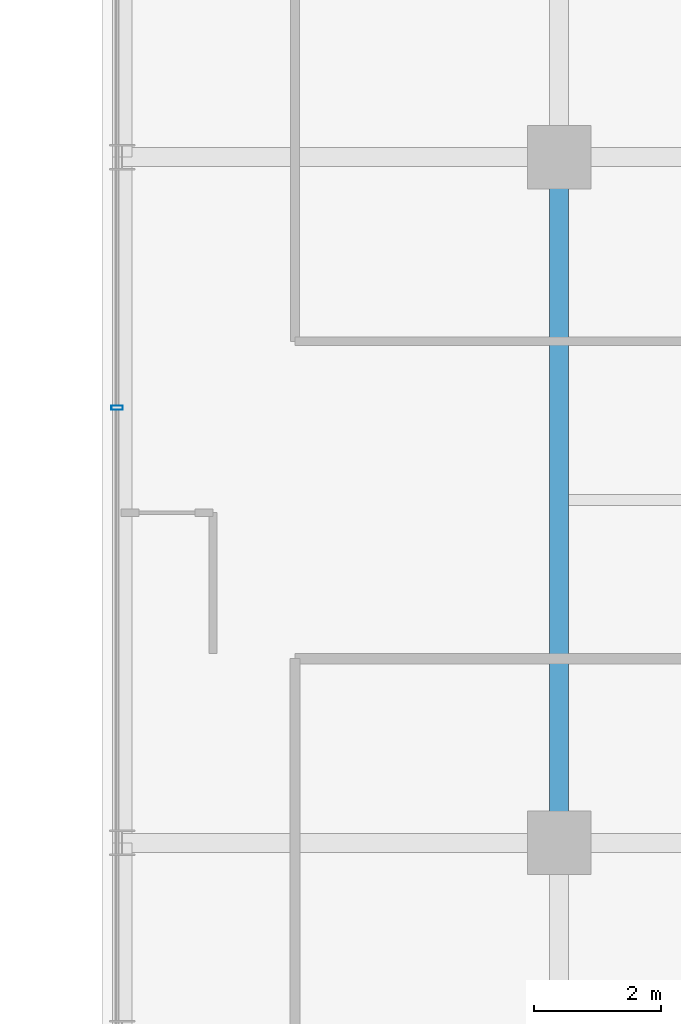
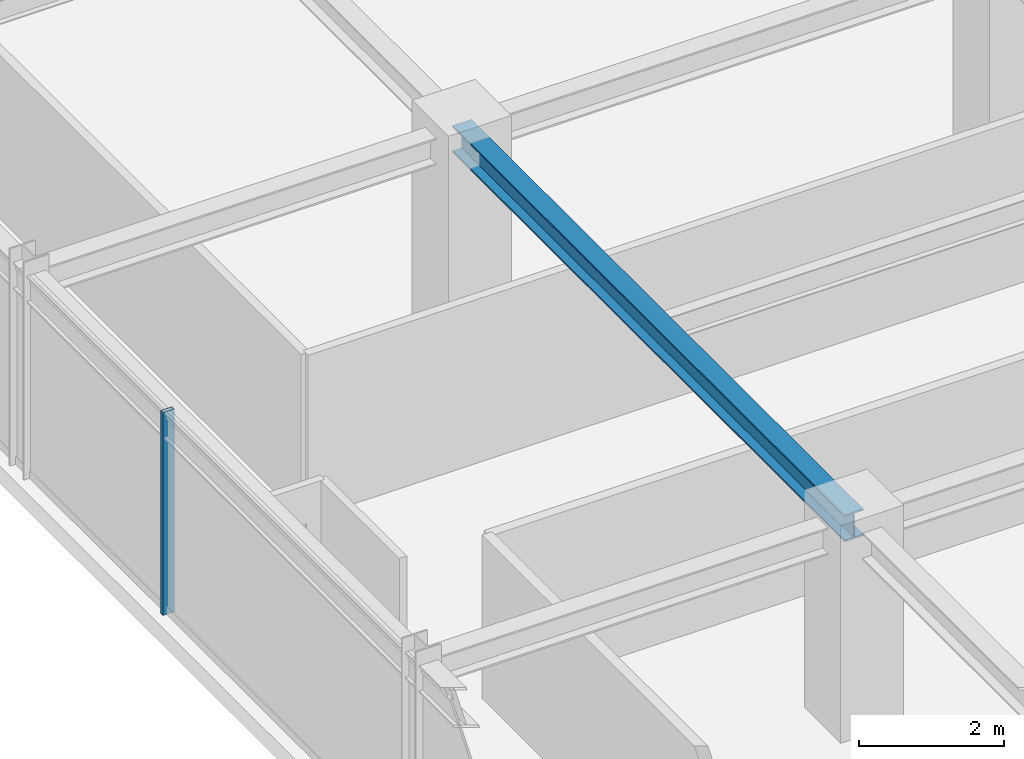
# One storey, part 9 of 32: 1 beam, 1 member, 1 element without a shape of its own.
"""IFC4 building model written with IfcOpenShell, lengths in metres."""

from ifc_helpers import new_model, si_unit, direction, frame, origin, origin_2d, place, context, subcontext, project, spatial, hollow_rectangle, i_section, extrude, source, transform, mapped, material, material_profile, profile_set, type_object, element, aggregate, save


model = new_model("IFC4")

# Units and contexts
model_context = context("Model", 3, precision=1e-05, world=origin(), true_north=direction((0.0, 1.0)))
body_context = subcontext(model_context, "Body", "Model", "MODEL_VIEW")
ifc_project = project(units=[si_unit("LENGTHUNIT", "METRE"), si_unit("AREAUNIT", "SQUARE_METRE"), si_unit("VOLUMEUNIT", "CUBIC_METRE"), si_unit("PLANEANGLEUNIT", "RADIAN"), si_unit("MASSUNIT", "GRAM", prefix="KILO")], contexts=[model_context])

# Site, building, storey
site_placement = place(None, origin())
site = spatial("IfcSite", under=ifc_project, at=site_placement, CompositionType="ELEMENT")
building_placement = place(site_placement, origin())
building = spatial("IfcBuilding", under=site, at=building_placement, Name="Nahalor Promenade Grand Hotel", CompositionType="ELEMENT")
storey_placement = place(building_placement, frame((0.0, 0.0, 230.800048828125)))
storey = spatial("IfcBuildingStorey", under=building, at=storey_placement, Name="L59", CompositionType="ELEMENT", Elevation=230.800048828125)

# Beam
ifc_material_1 = material(Name="Steel S355JR", Category="steel")
ifc_material_profile_1 = material_profile(ifc_material_1, i_section(OverallWidth=0.3, OverallDepth=0.45, WebThickness=0.014, FlangeThickness=0.026, at=origin_2d()), Name="HEB 450")
ifc_profile_set_1 = profile_set([ifc_material_profile_1], Name="Steel S355JR")
beam_type = type_object("IfcBeamType", Name="Beam-Girder-HEB450", PredefinedType="BEAM", material=ifc_profile_set_1)
shared_shape_1 = source(origin(), body_context, "Body", "SweptSolid", [
    extrude(i_section(OverallWidth=0.3, OverallDepth=0.45, WebThickness=0.014, FlangeThickness=0.026, at=origin_2d()), origin(), (0.0, 0.0, 1.0), 10.7998046875),
])
beam_placement = place(storey_placement, frame((-17.0, -5.39990234375, 3.18505859375), z_axis=(0.0, 1.0, 0.0), x_axis=(-1.0, 0.0, 0.0)))
element("IfcBeam", 1, at=beam_placement, inside=storey, type_object=beam_type, Name="BM-L59-GY-0-2", PredefinedType="BEAM", context=body_context, shape_type="MappedRepresentation", body=[
    mapped(shared_shape_1, transform((0.0, 0.0, 0.0), scale=1.0)),
])

# Curtain wall, member
ifc_material_2 = material(Name="Anodised Bronze Aluminium EN AW-6063 T6", Category="aluminium")
curtain_wall_type = type_object("IfcCurtainWallType", Name="CW2 Typical Hotel Flush Bronze Unitised Curtain Wall", PredefinedType="USERDEFINED", material=ifc_material_2)
curtain_wall_placement = place(storey_placement, origin())
curtain_wall = element("IfcCurtainWall", 2, at=curtain_wall_placement, inside=storey, type_object=curtain_wall_type, Name="L59 Curtain Wall CW-L59-W-3", ObjectType="UNITISED_CURTAIN_WALL", PredefinedType="USERDEFINED")
ifc_material_profile_2 = material_profile(ifc_material_2, hollow_rectangle(XDim=0.065, YDim=0.18, WallThickness=0.004, at=origin_2d()), Name="CWM 65x180x4")
ifc_profile_set_2 = profile_set([ifc_material_profile_2], Name="Anodised Bronze Aluminium EN AW-6063 T6")
member_type = type_object("IfcMemberType", Name="CWM2 Typical Bronze Mullion 65x180", PredefinedType="MULLION", material=ifc_profile_set_2)
shared_shape_2 = source(origin(), body_context, "Body", "SweptSolid", [
    extrude(hollow_rectangle(XDim=0.065, YDim=0.18, WallThickness=0.004, at=origin_2d()), origin(), (0.0, 0.0, 1.0), 3.409912109375),
])
member_placement = place(storey_placement, frame((-23.9599609375, 1.453369140625, 0.0), z_axis=(0.0, 0.0, 1.0), x_axis=(0.0, 1.0, 0.0)))
member = element("IfcMember", 3, at=member_placement, type_object=member_type, Name="CW-L59-W-3 Mullion 1", PredefinedType="MULLION", context=body_context, shape_type="MappedRepresentation", body=[
    mapped(shared_shape_2, transform((0.0, 0.0, 0.0), scale=1.0)),
])
aggregate(curtain_wall, [member])

save(model, "model.ifc")
